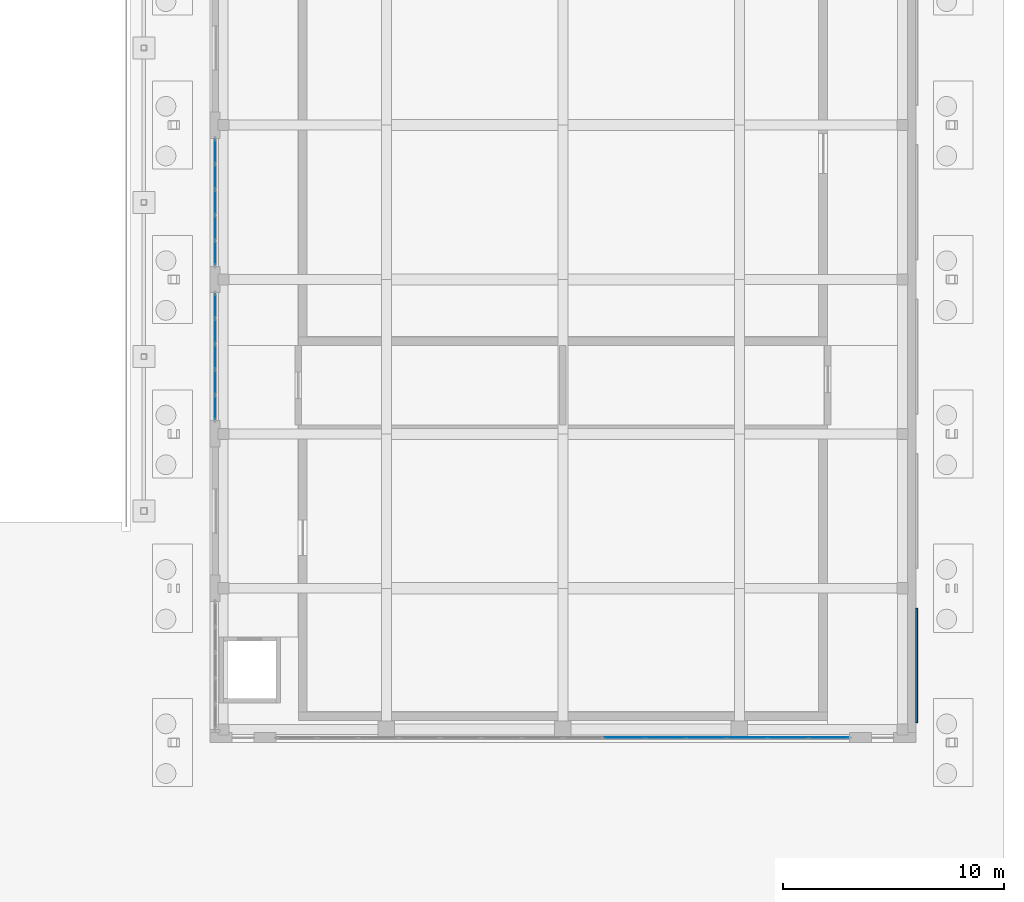
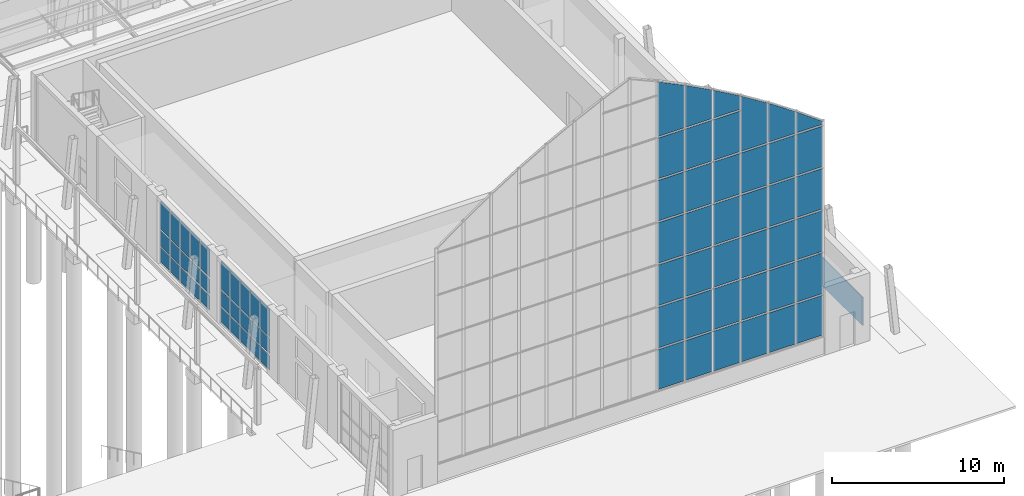
# One storey, part 93 of 144: 70 plates, 3 elements without a shape of their own.
"""IFC4 building model written with IfcOpenShell, lengths in metres."""

from ifc_helpers import new_model, si_unit, direction, frame, origin, origin_2d, place, context, subcontext, project, spatial, polyline, rectangle, outline, extrude, material, layer, layer_set, type_object, element, aggregate, save


model = new_model("IFC4")

# Units and contexts
model_context = context("Model", 3, precision=1e-05, world=origin(), true_north=direction((0.0, 1.0)))
body_context = subcontext(model_context, "Body", "Model", "MODEL_VIEW")
ifc_project = project(units=[si_unit("LENGTHUNIT", "METRE"), si_unit("AREAUNIT", "SQUARE_METRE"), si_unit("VOLUMEUNIT", "CUBIC_METRE"), si_unit("PLANEANGLEUNIT", "RADIAN"), si_unit("MASSUNIT", "GRAM", prefix="KILO")], contexts=[model_context])

# Site, building, storey
site_placement = place(None, origin())
site = spatial("IfcSite", under=ifc_project, at=site_placement, CompositionType="ELEMENT")
building_placement = place(site_placement, origin())
building = spatial("IfcBuilding", under=site, at=building_placement, Name="Lantern Court Media Centre", CompositionType="ELEMENT")
storey_placement = place(building_placement, origin())
storey = spatial("IfcBuildingStorey", under=building, at=storey_placement, Name="L00", CompositionType="ELEMENT", Elevation=0.0)

# Curtain wall, plates
ifc_material_1 = material(Name="Aluminium and glass", Category="aluminium")
ifc_layer_1 = layer(ifc_material_1, 0.14990234375)
ifc_layer_set_1 = layer_set([ifc_layer_1], Name="Aluminium and glass")
curtain_wall_type = type_object("IfcCurtainWallType", Name="Hall lancet glazing", PredefinedType="NOTDEFINED", material=ifc_layer_set_1)
curtain_wall_1_placement = place(storey_placement, origin())
curtain_wall_1 = element("IfcCurtainWall", 1, at=curtain_wall_1_placement, inside=storey, type_object=curtain_wall_type, Name="Studio Hall foyer glazing 3", PredefinedType="NOTDEFINED")
ifc_material_2 = material(Name="Laminated glass 6+6", Category="glass")
ifc_layer_2 = layer(ifc_material_2, 0.028076171875)
ifc_layer_set_2 = layer_set([ifc_layer_2], Name="Laminated glass 6+6")
plate_type_1 = type_object("IfcPlateType", Name="HP", PredefinedType="CURTAIN_PANEL", material=ifc_layer_set_2)
plate_1_placement = place(storey_placement, frame((72.22509765625, 13.195068359375, 0.119873046875), z_axis=(0.0, 0.0, 1.0), x_axis=(0.0, 1.0, 0.0)))
plate_1 = element("IfcPlate", 2, at=plate_1_placement, type_object=plate_type_1, Name="HCW-V23 panel 1.1", PredefinedType="CURTAIN_PANEL", context=body_context, shape_type="SweptSolid", body=[
    extrude(rectangle(XDim=1.070068359375, YDim=0.028076171875, at=origin_2d()), origin(), (0.0, 0.0, 1.0), 1.02001953125),
])
plate_2_placement = place(storey_placement, frame((72.22509765625, 13.195068359375, 1.260009765625), z_axis=(0.0, 0.0, 1.0), x_axis=(0.0, 1.0, 0.0)))
plate_2 = element("IfcPlate", 3, at=plate_2_placement, type_object=plate_type_1, Name="HCW-V23 panel 1.2", PredefinedType="CURTAIN_PANEL", context=body_context, shape_type="SweptSolid", body=[
    extrude(rectangle(XDim=1.070068359375, YDim=0.028076171875, at=origin_2d()), origin(), (0.0, 0.0, 1.0), 1.080078125),
])
plate_3_placement = place(storey_placement, frame((72.22509765625, 13.195068359375, 2.4599609375), z_axis=(0.0, 0.0, 1.0), x_axis=(0.0, 1.0, 0.0)))
plate_3 = element("IfcPlate", 4, at=plate_3_placement, type_object=plate_type_1, Name="HCW-V23 panel 1.3", PredefinedType="CURTAIN_PANEL", context=body_context, shape_type="SweptSolid", body=[
    extrude(rectangle(XDim=1.070068359375, YDim=0.028076171875, at=origin_2d()), origin(), (0.0, 0.0, 1.0), 1.969970703125),
])
plate_4_placement = place(storey_placement, frame((72.22509765625, 14.340087890625, 0.119873046875), z_axis=(0.0, 0.0, 1.0), x_axis=(0.0, 1.0, 0.0)))
plate_4 = element("IfcPlate", 5, at=plate_4_placement, type_object=plate_type_1, Name="HCW-V23 panel 2.1", PredefinedType="CURTAIN_PANEL", context=body_context, shape_type="SweptSolid", body=[
    extrude(rectangle(XDim=1.10009765625, YDim=0.028076171875, at=origin_2d()), origin(), (0.0, 0.0, 1.0), 1.02001953125),
])
plate_5_placement = place(storey_placement, frame((72.22509765625, 14.340087890625, 1.260009765625), z_axis=(0.0, 0.0, 1.0), x_axis=(0.0, 1.0, 0.0)))
plate_5 = element("IfcPlate", 6, at=plate_5_placement, type_object=plate_type_1, Name="HCW-V23 panel 2.2", PredefinedType="CURTAIN_PANEL", context=body_context, shape_type="SweptSolid", body=[
    extrude(rectangle(XDim=1.10009765625, YDim=0.028076171875, at=origin_2d()), origin(), (0.0, 0.0, 1.0), 1.080078125),
])
plate_6_placement = place(storey_placement, frame((72.22509765625, 14.340087890625, 2.4599609375), z_axis=(0.0, 0.0, 1.0), x_axis=(0.0, 1.0, 0.0)))
plate_6 = element("IfcPlate", 7, at=plate_6_placement, type_object=plate_type_1, Name="HCW-V23 panel 2.3", PredefinedType="CURTAIN_PANEL", context=body_context, shape_type="SweptSolid", body=[
    extrude(rectangle(XDim=1.10009765625, YDim=0.028076171875, at=origin_2d()), origin(), (0.0, 0.0, 1.0), 1.969970703125),
])
plate_7_placement = place(storey_placement, frame((72.22509765625, 15.5, 0.119873046875), z_axis=(0.0, 0.0, 1.0), x_axis=(0.0, 1.0, 0.0)))
plate_7 = element("IfcPlate", 8, at=plate_7_placement, type_object=plate_type_1, Name="HCW-V23 panel 3.1", PredefinedType="CURTAIN_PANEL", context=body_context, shape_type="SweptSolid", body=[
    extrude(rectangle(XDim=1.10009765625, YDim=0.028076171875, at=origin_2d()), origin(), (0.0, 0.0, 1.0), 1.02001953125),
])
plate_8_placement = place(storey_placement, frame((72.22509765625, 15.5, 1.260009765625), z_axis=(0.0, 0.0, 1.0), x_axis=(0.0, 1.0, 0.0)))
plate_8 = element("IfcPlate", 9, at=plate_8_placement, type_object=plate_type_1, Name="HCW-V23 panel 3.2", PredefinedType="CURTAIN_PANEL", context=body_context, shape_type="SweptSolid", body=[
    extrude(rectangle(XDim=1.10009765625, YDim=0.028076171875, at=origin_2d()), origin(), (0.0, 0.0, 1.0), 1.080078125),
])
plate_9_placement = place(storey_placement, frame((72.22509765625, 15.5, 2.4599609375), z_axis=(0.0, 0.0, 1.0), x_axis=(0.0, 1.0, 0.0)))
plate_9 = element("IfcPlate", 10, at=plate_9_placement, type_object=plate_type_1, Name="HCW-V23 panel 3.3", PredefinedType="CURTAIN_PANEL", context=body_context, shape_type="SweptSolid", body=[
    extrude(rectangle(XDim=1.10009765625, YDim=0.028076171875, at=origin_2d()), origin(), (0.0, 0.0, 1.0), 1.969970703125),
])
plate_10_placement = place(storey_placement, frame((72.22509765625, 16.659912109375, 0.119873046875), z_axis=(0.0, 0.0, 1.0), x_axis=(0.0, 1.0, 0.0)))
plate_10 = element("IfcPlate", 11, at=plate_10_placement, type_object=plate_type_1, Name="HCW-V23 panel 4.1", PredefinedType="CURTAIN_PANEL", context=body_context, shape_type="SweptSolid", body=[
    extrude(rectangle(XDim=1.10009765625, YDim=0.028076171875, at=origin_2d()), origin(), (0.0, 0.0, 1.0), 1.02001953125),
])
plate_11_placement = place(storey_placement, frame((72.22509765625, 16.659912109375, 1.260009765625), z_axis=(0.0, 0.0, 1.0), x_axis=(0.0, 1.0, 0.0)))
plate_11 = element("IfcPlate", 12, at=plate_11_placement, type_object=plate_type_1, Name="HCW-V23 panel 4.2", PredefinedType="CURTAIN_PANEL", context=body_context, shape_type="SweptSolid", body=[
    extrude(rectangle(XDim=1.10009765625, YDim=0.028076171875, at=origin_2d()), origin(), (0.0, 0.0, 1.0), 1.080078125),
])
plate_12_placement = place(storey_placement, frame((72.22509765625, 16.659912109375, 2.4599609375), z_axis=(0.0, 0.0, 1.0), x_axis=(0.0, 1.0, 0.0)))
plate_12 = element("IfcPlate", 13, at=plate_12_placement, type_object=plate_type_1, Name="HCW-V23 panel 4.3", PredefinedType="CURTAIN_PANEL", context=body_context, shape_type="SweptSolid", body=[
    extrude(rectangle(XDim=1.10009765625, YDim=0.028076171875, at=origin_2d()), origin(), (0.0, 0.0, 1.0), 1.969970703125),
])
plate_13_placement = place(storey_placement, frame((72.22509765625, 17.804931640625, 0.119873046875), z_axis=(0.0, 0.0, 1.0), x_axis=(0.0, 1.0, 0.0)))
plate_13 = element("IfcPlate", 14, at=plate_13_placement, type_object=plate_type_1, Name="HCW-V23 panel 5.1", PredefinedType="CURTAIN_PANEL", context=body_context, shape_type="SweptSolid", body=[
    extrude(rectangle(XDim=1.070068359375, YDim=0.028076171875, at=origin_2d()), origin(), (0.0, 0.0, 1.0), 1.02001953125),
])
plate_14_placement = place(storey_placement, frame((72.22509765625, 17.804931640625, 1.260009765625), z_axis=(0.0, 0.0, 1.0), x_axis=(0.0, 1.0, 0.0)))
plate_14 = element("IfcPlate", 15, at=plate_14_placement, type_object=plate_type_1, Name="HCW-V23 panel 5.2", PredefinedType="CURTAIN_PANEL", context=body_context, shape_type="SweptSolid", body=[
    extrude(rectangle(XDim=1.070068359375, YDim=0.028076171875, at=origin_2d()), origin(), (0.0, 0.0, 1.0), 1.080078125),
])
plate_15_placement = place(storey_placement, frame((72.22509765625, 17.804931640625, 2.4599609375), z_axis=(0.0, 0.0, 1.0), x_axis=(0.0, 1.0, 0.0)))
plate_15 = element("IfcPlate", 16, at=plate_15_placement, type_object=plate_type_1, Name="HCW-V23 panel 5.3", PredefinedType="CURTAIN_PANEL", context=body_context, shape_type="SweptSolid", body=[
    extrude(rectangle(XDim=1.070068359375, YDim=0.028076171875, at=origin_2d()), origin(), (0.0, 0.0, 1.0), 1.969970703125),
])
aggregate(curtain_wall_1, [plate_1, plate_2, plate_3, plate_4, plate_5, plate_6, plate_7, plate_8, plate_9, plate_10, plate_11, plate_12, plate_13, plate_14, plate_15])

curtain_wall_2_placement = place(storey_placement, origin())
curtain_wall_2 = element("IfcCurtainWall", 17, at=curtain_wall_2_placement, inside=storey, type_object=curtain_wall_type, Name="Studio Hall foyer glazing 4", PredefinedType="NOTDEFINED")
plate_16_placement = place(storey_placement, frame((72.22509765625, 20.195068359375, 0.119873046875), z_axis=(0.0, 0.0, 1.0), x_axis=(0.0, 1.0, 0.0)))
plate_16 = element("IfcPlate", 18, at=plate_16_placement, type_object=plate_type_1, Name="HCW-V24 panel 1.1", PredefinedType="CURTAIN_PANEL", context=body_context, shape_type="SweptSolid", body=[
    extrude(rectangle(XDim=1.070068359375, YDim=0.028076171875, at=origin_2d()), origin(), (0.0, 0.0, 1.0), 1.02001953125),
])
plate_17_placement = place(storey_placement, frame((72.22509765625, 20.195068359375, 1.260009765625), z_axis=(0.0, 0.0, 1.0), x_axis=(0.0, 1.0, 0.0)))
plate_17 = element("IfcPlate", 19, at=plate_17_placement, type_object=plate_type_1, Name="HCW-V24 panel 1.2", PredefinedType="CURTAIN_PANEL", context=body_context, shape_type="SweptSolid", body=[
    extrude(rectangle(XDim=1.070068359375, YDim=0.028076171875, at=origin_2d()), origin(), (0.0, 0.0, 1.0), 1.080078125),
])
plate_18_placement = place(storey_placement, frame((72.22509765625, 20.195068359375, 2.4599609375), z_axis=(0.0, 0.0, 1.0), x_axis=(0.0, 1.0, 0.0)))
plate_18 = element("IfcPlate", 20, at=plate_18_placement, type_object=plate_type_1, Name="HCW-V24 panel 1.3", PredefinedType="CURTAIN_PANEL", context=body_context, shape_type="SweptSolid", body=[
    extrude(rectangle(XDim=1.070068359375, YDim=0.028076171875, at=origin_2d()), origin(), (0.0, 0.0, 1.0), 1.969970703125),
])
plate_19_placement = place(storey_placement, frame((72.22509765625, 21.340087890625, 0.119873046875), z_axis=(0.0, 0.0, 1.0), x_axis=(0.0, 1.0, 0.0)))
plate_19 = element("IfcPlate", 21, at=plate_19_placement, type_object=plate_type_1, Name="HCW-V24 panel 2.1", PredefinedType="CURTAIN_PANEL", context=body_context, shape_type="SweptSolid", body=[
    extrude(rectangle(XDim=1.10009765625, YDim=0.028076171875, at=origin_2d()), origin(), (0.0, 0.0, 1.0), 1.02001953125),
])
plate_20_placement = place(storey_placement, frame((72.22509765625, 21.340087890625, 1.260009765625), z_axis=(0.0, 0.0, 1.0), x_axis=(0.0, 1.0, 0.0)))
plate_20 = element("IfcPlate", 22, at=plate_20_placement, type_object=plate_type_1, Name="HCW-V24 panel 2.2", PredefinedType="CURTAIN_PANEL", context=body_context, shape_type="SweptSolid", body=[
    extrude(rectangle(XDim=1.10009765625, YDim=0.028076171875, at=origin_2d()), origin(), (0.0, 0.0, 1.0), 1.080078125),
])
plate_21_placement = place(storey_placement, frame((72.22509765625, 21.340087890625, 2.4599609375), z_axis=(0.0, 0.0, 1.0), x_axis=(0.0, 1.0, 0.0)))
plate_21 = element("IfcPlate", 23, at=plate_21_placement, type_object=plate_type_1, Name="HCW-V24 panel 2.3", PredefinedType="CURTAIN_PANEL", context=body_context, shape_type="SweptSolid", body=[
    extrude(rectangle(XDim=1.10009765625, YDim=0.028076171875, at=origin_2d()), origin(), (0.0, 0.0, 1.0), 1.969970703125),
])
plate_22_placement = place(storey_placement, frame((72.22509765625, 22.5, 0.119873046875), z_axis=(0.0, 0.0, 1.0), x_axis=(0.0, 1.0, 0.0)))
plate_22 = element("IfcPlate", 24, at=plate_22_placement, type_object=plate_type_1, Name="HCW-V24 panel 3.1", PredefinedType="CURTAIN_PANEL", context=body_context, shape_type="SweptSolid", body=[
    extrude(rectangle(XDim=1.10009765625, YDim=0.028076171875, at=origin_2d()), origin(), (0.0, 0.0, 1.0), 1.02001953125),
])
plate_23_placement = place(storey_placement, frame((72.22509765625, 22.5, 1.260009765625), z_axis=(0.0, 0.0, 1.0), x_axis=(0.0, 1.0, 0.0)))
plate_23 = element("IfcPlate", 25, at=plate_23_placement, type_object=plate_type_1, Name="HCW-V24 panel 3.2", PredefinedType="CURTAIN_PANEL", context=body_context, shape_type="SweptSolid", body=[
    extrude(rectangle(XDim=1.10009765625, YDim=0.028076171875, at=origin_2d()), origin(), (0.0, 0.0, 1.0), 1.080078125),
])
plate_24_placement = place(storey_placement, frame((72.22509765625, 22.5, 2.4599609375), z_axis=(0.0, 0.0, 1.0), x_axis=(0.0, 1.0, 0.0)))
plate_24 = element("IfcPlate", 26, at=plate_24_placement, type_object=plate_type_1, Name="HCW-V24 panel 3.3", PredefinedType="CURTAIN_PANEL", context=body_context, shape_type="SweptSolid", body=[
    extrude(rectangle(XDim=1.10009765625, YDim=0.028076171875, at=origin_2d()), origin(), (0.0, 0.0, 1.0), 1.969970703125),
])
plate_25_placement = place(storey_placement, frame((72.22509765625, 23.659912109375, 0.119873046875), z_axis=(0.0, 0.0, 1.0), x_axis=(0.0, 1.0, 0.0)))
plate_25 = element("IfcPlate", 27, at=plate_25_placement, type_object=plate_type_1, Name="HCW-V24 panel 4.1", PredefinedType="CURTAIN_PANEL", context=body_context, shape_type="SweptSolid", body=[
    extrude(rectangle(XDim=1.10009765625, YDim=0.028076171875, at=origin_2d()), origin(), (0.0, 0.0, 1.0), 1.02001953125),
])
plate_26_placement = place(storey_placement, frame((72.22509765625, 23.659912109375, 1.260009765625), z_axis=(0.0, 0.0, 1.0), x_axis=(0.0, 1.0, 0.0)))
plate_26 = element("IfcPlate", 28, at=plate_26_placement, type_object=plate_type_1, Name="HCW-V24 panel 4.2", PredefinedType="CURTAIN_PANEL", context=body_context, shape_type="SweptSolid", body=[
    extrude(rectangle(XDim=1.10009765625, YDim=0.028076171875, at=origin_2d()), origin(), (0.0, 0.0, 1.0), 1.080078125),
])
plate_27_placement = place(storey_placement, frame((72.22509765625, 23.659912109375, 2.4599609375), z_axis=(0.0, 0.0, 1.0), x_axis=(0.0, 1.0, 0.0)))
plate_27 = element("IfcPlate", 29, at=plate_27_placement, type_object=plate_type_1, Name="HCW-V24 panel 4.3", PredefinedType="CURTAIN_PANEL", context=body_context, shape_type="SweptSolid", body=[
    extrude(rectangle(XDim=1.10009765625, YDim=0.028076171875, at=origin_2d()), origin(), (0.0, 0.0, 1.0), 1.969970703125),
])
plate_28_placement = place(storey_placement, frame((72.22509765625, 24.804931640625, 0.119873046875), z_axis=(0.0, 0.0, 1.0), x_axis=(0.0, 1.0, 0.0)))
plate_28 = element("IfcPlate", 30, at=plate_28_placement, type_object=plate_type_1, Name="HCW-V24 panel 5.1", PredefinedType="CURTAIN_PANEL", context=body_context, shape_type="SweptSolid", body=[
    extrude(rectangle(XDim=1.070068359375, YDim=0.028076171875, at=origin_2d()), origin(), (0.0, 0.0, 1.0), 1.02001953125),
])
plate_29_placement = place(storey_placement, frame((72.22509765625, 24.804931640625, 1.260009765625), z_axis=(0.0, 0.0, 1.0), x_axis=(0.0, 1.0, 0.0)))
plate_29 = element("IfcPlate", 31, at=plate_29_placement, type_object=plate_type_1, Name="HCW-V24 panel 5.2", PredefinedType="CURTAIN_PANEL", context=body_context, shape_type="SweptSolid", body=[
    extrude(rectangle(XDim=1.070068359375, YDim=0.028076171875, at=origin_2d()), origin(), (0.0, 0.0, 1.0), 1.080078125),
])
plate_30_placement = place(storey_placement, frame((72.22509765625, 24.804931640625, 2.4599609375), z_axis=(0.0, 0.0, 1.0), x_axis=(0.0, 1.0, 0.0)))
plate_30 = element("IfcPlate", 32, at=plate_30_placement, type_object=plate_type_1, Name="HCW-V24 panel 5.3", PredefinedType="CURTAIN_PANEL", context=body_context, shape_type="SweptSolid", body=[
    extrude(rectangle(XDim=1.070068359375, YDim=0.028076171875, at=origin_2d()), origin(), (0.0, 0.0, 1.0), 1.969970703125),
])
aggregate(curtain_wall_2, [plate_16, plate_17, plate_18, plate_19, plate_20, plate_21, plate_22, plate_23, plate_24, plate_25, plate_26, plate_27, plate_28, plate_29, plate_30])

curtain_wall_3_placement = place(storey_placement, origin())
curtain_wall_3 = element("IfcCurtainWall", 33, at=curtain_wall_3_placement, inside=storey, type_object=curtain_wall_type, Name="Studio Hall HCW-V20 glazing", PredefinedType="NOTDEFINED")
plate_31_placement = place(storey_placement, frame((90.78564453125, -1.77490234375, 1.31982421875), z_axis=(0.0, 0.0, 1.0), x_axis=(1.0, 0.0, 0.0)))
plate_31 = element("IfcPlate", 34, at=plate_31_placement, type_object=plate_type_1, Name="HCW-V20 panel 9.1", PredefinedType="CURTAIN_PANEL", context=body_context, shape_type="SweptSolid", body=[
    extrude(rectangle(XDim=1.797119140625, YDim=0.028076171875, at=origin_2d()), origin(), (0.0, 0.0, 1.0), 2.820068359375),
])
plate_32_placement = place(storey_placement, frame((90.78564453125, -1.77490234375, 4.260009765625), z_axis=(0.0, 0.0, 1.0), x_axis=(1.0, 0.0, 0.0)))
plate_32 = element("IfcPlate", 35, at=plate_32_placement, type_object=plate_type_1, Name="HCW-V20 panel 9.2", PredefinedType="CURTAIN_PANEL", context=body_context, shape_type="SweptSolid", body=[
    extrude(rectangle(XDim=1.797119140625, YDim=0.028076171875, at=origin_2d()), origin(), (0.0, 0.0, 1.0), 2.8798828125),
])
plate_33_placement = place(storey_placement, frame((90.78564453125, -1.77490234375, 7.260009765625), z_axis=(0.0, 0.0, 1.0), x_axis=(1.0, 0.0, 0.0)))
plate_33 = element("IfcPlate", 36, at=plate_33_placement, type_object=plate_type_1, Name="HCW-V20 panel 9.3", PredefinedType="CURTAIN_PANEL", context=body_context, shape_type="SweptSolid", body=[
    extrude(rectangle(XDim=1.797119140625, YDim=0.028076171875, at=origin_2d()), origin(), (0.0, 0.0, 1.0), 2.8798828125),
])
plate_34_placement = place(storey_placement, frame((90.78564453125, -1.77490234375, 10.260009765625), z_axis=(0.0, 0.0, 1.0), x_axis=(1.0, 0.0, 0.0)))
plate_34 = element("IfcPlate", 37, at=plate_34_placement, type_object=plate_type_1, Name="HCW-V20 panel 9.4", PredefinedType="CURTAIN_PANEL", context=body_context, shape_type="SweptSolid", body=[
    extrude(rectangle(XDim=1.797119140625, YDim=0.028076171875, at=origin_2d()), origin(), (0.0, 0.0, 1.0), 2.8798828125),
])
plate_35_placement = place(storey_placement, frame((90.78564453125, -1.77490234375, 13.260009765625), z_axis=(0.0, 0.0, 1.0), x_axis=(1.0, 0.0, 0.0)))
plate_35 = element("IfcPlate", 38, at=plate_35_placement, type_object=plate_type_1, Name="HCW-V20 panel 9.5", PredefinedType="CURTAIN_PANEL", context=body_context, shape_type="SweptSolid", body=[
    extrude(rectangle(XDim=1.797119140625, YDim=0.028076171875, at=origin_2d()), origin(), (0.0, 0.0, 1.0), 2.8798828125),
])
plate_36_placement = place(storey_placement, frame((90.78564453125, -1.77490234375, 16.260009765625), z_axis=(0.0, 0.0, 1.0), x_axis=(1.0, 0.0, 0.0)))
plate_36 = element("IfcPlate", 39, at=plate_36_placement, type_object=plate_type_1, Name="HCW-V20 panel 9.6", PredefinedType="CURTAIN_PANEL", context=body_context, shape_type="SweptSolid", body=[
    extrude(rectangle(XDim=1.797119140625, YDim=0.028076171875, at=origin_2d()), origin(), (0.0, 0.0, 1.0), 2.8798828125),
])
plate_37_placement = place(storey_placement, frame((89.88720703125, -1.7890625, 19.260009765625), z_axis=(0.0, -1.0, 0.0), x_axis=(1.0, 0.0, 0.0)))
plate_37 = element("IfcPlate", 40, at=plate_37_placement, type_object=plate_type_1, Name="HCW-V20 head panel", PredefinedType="CURTAIN_PANEL", context=body_context, shape_type="SweptSolid", body=[
    extrude(outline(polyline([(0.0, 0.0), (1.797119140625, 0.0), (1.797119140625, 3.010009765625), (0.0, 3.8818359375), (0.0, 0.0)])), origin(), (0.0, 0.0, -1.0), 0.028076171875),
])
plate_38_placement = place(storey_placement, frame((92.642822265625, -1.77490234375, 1.31982421875), z_axis=(0.0, 0.0, 1.0), x_axis=(1.0, 0.0, 0.0)))
plate_38 = element("IfcPlate", 41, at=plate_38_placement, type_object=plate_type_1, Name="HCW-V20 panel 10.1", PredefinedType="CURTAIN_PANEL", context=body_context, shape_type="SweptSolid", body=[
    extrude(rectangle(XDim=1.797119140625, YDim=0.028076171875, at=origin_2d()), origin(), (0.0, 0.0, 1.0), 2.820068359375),
])
plate_39_placement = place(storey_placement, frame((92.642822265625, -1.77490234375, 4.260009765625), z_axis=(0.0, 0.0, 1.0), x_axis=(1.0, 0.0, 0.0)))
plate_39 = element("IfcPlate", 42, at=plate_39_placement, type_object=plate_type_1, Name="HCW-V20 panel 10.2", PredefinedType="CURTAIN_PANEL", context=body_context, shape_type="SweptSolid", body=[
    extrude(rectangle(XDim=1.797119140625, YDim=0.028076171875, at=origin_2d()), origin(), (0.0, 0.0, 1.0), 2.8798828125),
])
plate_40_placement = place(storey_placement, frame((92.642822265625, -1.77490234375, 7.260009765625), z_axis=(0.0, 0.0, 1.0), x_axis=(1.0, 0.0, 0.0)))
plate_40 = element("IfcPlate", 43, at=plate_40_placement, type_object=plate_type_1, Name="HCW-V20 panel 10.3", PredefinedType="CURTAIN_PANEL", context=body_context, shape_type="SweptSolid", body=[
    extrude(rectangle(XDim=1.797119140625, YDim=0.028076171875, at=origin_2d()), origin(), (0.0, 0.0, 1.0), 2.8798828125),
])
plate_41_placement = place(storey_placement, frame((92.642822265625, -1.77490234375, 10.260009765625), z_axis=(0.0, 0.0, 1.0), x_axis=(1.0, 0.0, 0.0)))
plate_41 = element("IfcPlate", 44, at=plate_41_placement, type_object=plate_type_1, Name="HCW-V20 panel 10.4", PredefinedType="CURTAIN_PANEL", context=body_context, shape_type="SweptSolid", body=[
    extrude(rectangle(XDim=1.797119140625, YDim=0.028076171875, at=origin_2d()), origin(), (0.0, 0.0, 1.0), 2.8798828125),
])
plate_42_placement = place(storey_placement, frame((92.642822265625, -1.77490234375, 13.260009765625), z_axis=(0.0, 0.0, 1.0), x_axis=(1.0, 0.0, 0.0)))
plate_42 = element("IfcPlate", 45, at=plate_42_placement, type_object=plate_type_1, Name="HCW-V20 panel 10.5", PredefinedType="CURTAIN_PANEL", context=body_context, shape_type="SweptSolid", body=[
    extrude(rectangle(XDim=1.797119140625, YDim=0.028076171875, at=origin_2d()), origin(), (0.0, 0.0, 1.0), 2.8798828125),
])
plate_43_placement = place(storey_placement, frame((92.642822265625, -1.77490234375, 16.260009765625), z_axis=(0.0, 0.0, 1.0), x_axis=(1.0, 0.0, 0.0)))
plate_43 = element("IfcPlate", 46, at=plate_43_placement, type_object=plate_type_1, Name="HCW-V20 panel 10.6", PredefinedType="CURTAIN_PANEL", context=body_context, shape_type="SweptSolid", body=[
    extrude(rectangle(XDim=1.797119140625, YDim=0.028076171875, at=origin_2d()), origin(), (0.0, 0.0, 1.0), 2.8798828125),
])
plate_44_placement = place(storey_placement, frame((91.744384765625, -1.7890625, 19.260009765625), z_axis=(0.0, -1.0, 0.0), x_axis=(1.0, 0.0, 0.0)))
plate_44 = element("IfcPlate", 47, at=plate_44_placement, type_object=plate_type_1, Name="HCW-V20 head panel", PredefinedType="CURTAIN_PANEL", context=body_context, shape_type="SweptSolid", body=[
    extrude(outline(polyline([(0.0, 0.0), (1.797119140625, 0.0), (1.797119140625, 2.029052734375), (0.0, 2.9794921875), (0.0, 0.0)])), origin(), (0.0, 0.0, -1.0), 0.028076171875),
])
plate_45_placement = place(storey_placement, frame((94.5, -1.77490234375, 1.31982421875), z_axis=(0.0, 0.0, 1.0), x_axis=(1.0, 0.0, 0.0)))
plate_45 = element("IfcPlate", 48, at=plate_45_placement, type_object=plate_type_1, Name="HCW-V20 panel 11.1", PredefinedType="CURTAIN_PANEL", context=body_context, shape_type="SweptSolid", body=[
    extrude(rectangle(XDim=1.797119140625, YDim=0.028076171875, at=origin_2d()), origin(), (0.0, 0.0, 1.0), 2.820068359375),
])
plate_46_placement = place(storey_placement, frame((94.5, -1.77490234375, 4.260009765625), z_axis=(0.0, 0.0, 1.0), x_axis=(1.0, 0.0, 0.0)))
plate_46 = element("IfcPlate", 49, at=plate_46_placement, type_object=plate_type_1, Name="HCW-V20 panel 11.2", PredefinedType="CURTAIN_PANEL", context=body_context, shape_type="SweptSolid", body=[
    extrude(rectangle(XDim=1.797119140625, YDim=0.028076171875, at=origin_2d()), origin(), (0.0, 0.0, 1.0), 2.8798828125),
])
plate_47_placement = place(storey_placement, frame((94.5, -1.77490234375, 7.260009765625), z_axis=(0.0, 0.0, 1.0), x_axis=(1.0, 0.0, 0.0)))
plate_47 = element("IfcPlate", 50, at=plate_47_placement, type_object=plate_type_1, Name="HCW-V20 panel 11.3", PredefinedType="CURTAIN_PANEL", context=body_context, shape_type="SweptSolid", body=[
    extrude(rectangle(XDim=1.797119140625, YDim=0.028076171875, at=origin_2d()), origin(), (0.0, 0.0, 1.0), 2.8798828125),
])
plate_48_placement = place(storey_placement, frame((94.5, -1.77490234375, 10.260009765625), z_axis=(0.0, 0.0, 1.0), x_axis=(1.0, 0.0, 0.0)))
plate_48 = element("IfcPlate", 51, at=plate_48_placement, type_object=plate_type_1, Name="HCW-V20 panel 11.4", PredefinedType="CURTAIN_PANEL", context=body_context, shape_type="SweptSolid", body=[
    extrude(rectangle(XDim=1.797119140625, YDim=0.028076171875, at=origin_2d()), origin(), (0.0, 0.0, 1.0), 2.8798828125),
])
plate_49_placement = place(storey_placement, frame((94.5, -1.77490234375, 13.260009765625), z_axis=(0.0, 0.0, 1.0), x_axis=(1.0, 0.0, 0.0)))
plate_49 = element("IfcPlate", 52, at=plate_49_placement, type_object=plate_type_1, Name="HCW-V20 panel 11.5", PredefinedType="CURTAIN_PANEL", context=body_context, shape_type="SweptSolid", body=[
    extrude(rectangle(XDim=1.797119140625, YDim=0.028076171875, at=origin_2d()), origin(), (0.0, 0.0, 1.0), 2.8798828125),
])
plate_50_placement = place(storey_placement, frame((94.5, -1.77490234375, 16.260009765625), z_axis=(0.0, 0.0, 1.0), x_axis=(1.0, 0.0, 0.0)))
plate_50 = element("IfcPlate", 53, at=plate_50_placement, type_object=plate_type_1, Name="HCW-V20 panel 11.6", PredefinedType="CURTAIN_PANEL", context=body_context, shape_type="SweptSolid", body=[
    extrude(rectangle(XDim=1.797119140625, YDim=0.028076171875, at=origin_2d()), origin(), (0.0, 0.0, 1.0), 2.8798828125),
])
plate_51_placement = place(storey_placement, frame((93.601318359375, -1.7890625, 19.260009765625), z_axis=(0.0, -1.0, 0.0), x_axis=(1.0, 0.0, 0.0)))
plate_51 = element("IfcPlate", 54, at=plate_51_placement, type_object=plate_type_1, Name="HCW-V20 head panel", PredefinedType="CURTAIN_PANEL", context=body_context, shape_type="SweptSolid", body=[
    extrude(outline(polyline([(0.0, 0.0), (1.79736328125, 0.0), (1.79736328125, 0.962646484375), (0.0, 1.995849609375), (0.0, 0.0)])), origin(), (0.0, 0.0, -1.0), 0.028076171875),
])
plate_52_placement = place(storey_placement, frame((96.357177734375, -1.77490234375, 1.31982421875), z_axis=(0.0, 0.0, 1.0), x_axis=(1.0, 0.0, 0.0)))
plate_52 = element("IfcPlate", 55, at=plate_52_placement, type_object=plate_type_1, Name="HCW-V20 panel 12.1", PredefinedType="CURTAIN_PANEL", context=body_context, shape_type="SweptSolid", body=[
    extrude(rectangle(XDim=1.797119140625, YDim=0.028076171875, at=origin_2d()), origin(), (0.0, 0.0, 1.0), 2.820068359375),
])
plate_53_placement = place(storey_placement, frame((96.357177734375, -1.77490234375, 4.260009765625), z_axis=(0.0, 0.0, 1.0), x_axis=(1.0, 0.0, 0.0)))
plate_53 = element("IfcPlate", 56, at=plate_53_placement, type_object=plate_type_1, Name="HCW-V20 panel 12.2", PredefinedType="CURTAIN_PANEL", context=body_context, shape_type="SweptSolid", body=[
    extrude(rectangle(XDim=1.797119140625, YDim=0.028076171875, at=origin_2d()), origin(), (0.0, 0.0, 1.0), 2.8798828125),
])
plate_54_placement = place(storey_placement, frame((96.357177734375, -1.77490234375, 7.260009765625), z_axis=(0.0, 0.0, 1.0), x_axis=(1.0, 0.0, 0.0)))
plate_54 = element("IfcPlate", 57, at=plate_54_placement, type_object=plate_type_1, Name="HCW-V20 panel 12.3", PredefinedType="CURTAIN_PANEL", context=body_context, shape_type="SweptSolid", body=[
    extrude(rectangle(XDim=1.797119140625, YDim=0.028076171875, at=origin_2d()), origin(), (0.0, 0.0, 1.0), 2.8798828125),
])
plate_55_placement = place(storey_placement, frame((96.357177734375, -1.77490234375, 10.260009765625), z_axis=(0.0, 0.0, 1.0), x_axis=(1.0, 0.0, 0.0)))
plate_55 = element("IfcPlate", 58, at=plate_55_placement, type_object=plate_type_1, Name="HCW-V20 panel 12.4", PredefinedType="CURTAIN_PANEL", context=body_context, shape_type="SweptSolid", body=[
    extrude(rectangle(XDim=1.797119140625, YDim=0.028076171875, at=origin_2d()), origin(), (0.0, 0.0, 1.0), 2.8798828125),
])
plate_56_placement = place(storey_placement, frame((96.357177734375, -1.77490234375, 13.260009765625), z_axis=(0.0, 0.0, 1.0), x_axis=(1.0, 0.0, 0.0)))
plate_56 = element("IfcPlate", 59, at=plate_56_placement, type_object=plate_type_1, Name="HCW-V20 panel 12.5", PredefinedType="CURTAIN_PANEL", context=body_context, shape_type="SweptSolid", body=[
    extrude(rectangle(XDim=1.797119140625, YDim=0.028076171875, at=origin_2d()), origin(), (0.0, 0.0, 1.0), 2.8798828125),
])
plate_57_placement = place(storey_placement, frame((95.45849609375, -1.7890625, 16.260009765625), z_axis=(0.0, -1.0, 0.0), x_axis=(1.0, 0.0, 0.0)))
plate_57 = element("IfcPlate", 60, at=plate_57_placement, type_object=plate_type_1, Name="HCW-V20 head panel", PredefinedType="CURTAIN_PANEL", context=body_context, shape_type="SweptSolid", body=[
    extrude(outline(polyline([(0.0, 0.0), (1.797119140625, 0.0), (1.797119140625, 2.804931640625), (0.0, 3.926513671875), (0.0, 0.0)])), origin(), (0.0, 0.0, -1.0), 0.028076171875),
])
plate_58_placement = place(storey_placement, frame((98.21435546875, -1.77490234375, 1.31982421875), z_axis=(0.0, 0.0, 1.0), x_axis=(1.0, 0.0, 0.0)))
plate_58 = element("IfcPlate", 61, at=plate_58_placement, type_object=plate_type_1, Name="HCW-V20 panel 13.1", PredefinedType="CURTAIN_PANEL", context=body_context, shape_type="SweptSolid", body=[
    extrude(rectangle(XDim=1.797119140625, YDim=0.028076171875, at=origin_2d()), origin(), (0.0, 0.0, 1.0), 2.820068359375),
])
plate_59_placement = place(storey_placement, frame((98.21435546875, -1.77490234375, 4.260009765625), z_axis=(0.0, 0.0, 1.0), x_axis=(1.0, 0.0, 0.0)))
plate_59 = element("IfcPlate", 62, at=plate_59_placement, type_object=plate_type_1, Name="HCW-V20 panel 13.2", PredefinedType="CURTAIN_PANEL", context=body_context, shape_type="SweptSolid", body=[
    extrude(rectangle(XDim=1.797119140625, YDim=0.028076171875, at=origin_2d()), origin(), (0.0, 0.0, 1.0), 2.8798828125),
])
plate_60_placement = place(storey_placement, frame((98.21435546875, -1.77490234375, 7.260009765625), z_axis=(0.0, 0.0, 1.0), x_axis=(1.0, 0.0, 0.0)))
plate_60 = element("IfcPlate", 63, at=plate_60_placement, type_object=plate_type_1, Name="HCW-V20 panel 13.3", PredefinedType="CURTAIN_PANEL", context=body_context, shape_type="SweptSolid", body=[
    extrude(rectangle(XDim=1.797119140625, YDim=0.028076171875, at=origin_2d()), origin(), (0.0, 0.0, 1.0), 2.8798828125),
])
plate_61_placement = place(storey_placement, frame((98.21435546875, -1.77490234375, 10.260009765625), z_axis=(0.0, 0.0, 1.0), x_axis=(1.0, 0.0, 0.0)))
plate_61 = element("IfcPlate", 64, at=plate_61_placement, type_object=plate_type_1, Name="HCW-V20 panel 13.4", PredefinedType="CURTAIN_PANEL", context=body_context, shape_type="SweptSolid", body=[
    extrude(rectangle(XDim=1.797119140625, YDim=0.028076171875, at=origin_2d()), origin(), (0.0, 0.0, 1.0), 2.8798828125),
])
plate_62_placement = place(storey_placement, frame((98.21435546875, -1.77490234375, 13.260009765625), z_axis=(0.0, 0.0, 1.0), x_axis=(1.0, 0.0, 0.0)))
plate_62 = element("IfcPlate", 65, at=plate_62_placement, type_object=plate_type_1, Name="HCW-V20 panel 13.5", PredefinedType="CURTAIN_PANEL", context=body_context, shape_type="SweptSolid", body=[
    extrude(rectangle(XDim=1.797119140625, YDim=0.028076171875, at=origin_2d()), origin(), (0.0, 0.0, 1.0), 2.8798828125),
])
plate_63_placement = place(storey_placement, frame((97.315673828125, -1.7890625, 16.260009765625), z_axis=(0.0, -1.0, 0.0), x_axis=(1.0, 0.0, 0.0)))
plate_63 = element("IfcPlate", 66, at=plate_63_placement, type_object=plate_type_1, Name="HCW-V20 head panel", PredefinedType="CURTAIN_PANEL", context=body_context, shape_type="SweptSolid", body=[
    extrude(outline(polyline([(0.0, 0.0), (1.797119140625, 0.0), (1.797119140625, 1.550048828125), (0.0, 2.76611328125), (0.0, 0.0)])), origin(), (0.0, 0.0, -1.0), 0.028076171875),
])
plate_64_placement = place(storey_placement, frame((100.056396484375, -1.77490234375, 1.31982421875), z_axis=(0.0, 0.0, 1.0), x_axis=(1.0, 0.0, 0.0)))
plate_64 = element("IfcPlate", 67, at=plate_64_placement, type_object=plate_type_1, Name="HCW-V20 panel 14.1", PredefinedType="CURTAIN_PANEL", context=body_context, shape_type="SweptSolid", body=[
    extrude(rectangle(XDim=1.76708984375, YDim=0.028076171875, at=origin_2d()), origin(), (0.0, 0.0, 1.0), 2.820068359375),
])
plate_65_placement = place(storey_placement, frame((100.056396484375, -1.77490234375, 4.260009765625), z_axis=(0.0, 0.0, 1.0), x_axis=(1.0, 0.0, 0.0)))
plate_65 = element("IfcPlate", 68, at=plate_65_placement, type_object=plate_type_1, Name="HCW-V20 panel 14.2", PredefinedType="CURTAIN_PANEL", context=body_context, shape_type="SweptSolid", body=[
    extrude(rectangle(XDim=1.76708984375, YDim=0.028076171875, at=origin_2d()), origin(), (0.0, 0.0, 1.0), 2.8798828125),
])
plate_66_placement = place(storey_placement, frame((100.056396484375, -1.77490234375, 7.260009765625), z_axis=(0.0, 0.0, 1.0), x_axis=(1.0, 0.0, 0.0)))
plate_66 = element("IfcPlate", 69, at=plate_66_placement, type_object=plate_type_1, Name="HCW-V20 panel 14.3", PredefinedType="CURTAIN_PANEL", context=body_context, shape_type="SweptSolid", body=[
    extrude(rectangle(XDim=1.76708984375, YDim=0.028076171875, at=origin_2d()), origin(), (0.0, 0.0, 1.0), 2.8798828125),
])
plate_67_placement = place(storey_placement, frame((100.056396484375, -1.77490234375, 10.260009765625), z_axis=(0.0, 0.0, 1.0), x_axis=(1.0, 0.0, 0.0)))
plate_67 = element("IfcPlate", 70, at=plate_67_placement, type_object=plate_type_1, Name="HCW-V20 panel 14.4", PredefinedType="CURTAIN_PANEL", context=body_context, shape_type="SweptSolid", body=[
    extrude(rectangle(XDim=1.76708984375, YDim=0.028076171875, at=origin_2d()), origin(), (0.0, 0.0, 1.0), 2.8798828125),
])
plate_68_placement = place(storey_placement, frame((100.056396484375, -1.77490234375, 13.260009765625), z_axis=(0.0, 0.0, 1.0), x_axis=(1.0, 0.0, 0.0)))
plate_68 = element("IfcPlate", 71, at=plate_68_placement, type_object=plate_type_1, Name="HCW-V20 panel 14.5", PredefinedType="CURTAIN_PANEL", context=body_context, shape_type="SweptSolid", body=[
    extrude(rectangle(XDim=1.76708984375, YDim=0.028076171875, at=origin_2d()), origin(), (0.0, 0.0, 1.0), 2.8798828125),
])
plate_69_placement = place(storey_placement, frame((99.1728515625, -1.7890625, 16.260009765625), z_axis=(0.0, -1.0, 0.0), x_axis=(1.0, 0.0, 0.0)))
plate_69 = element("IfcPlate", 72, at=plate_69_placement, type_object=plate_type_1, Name="HCW-V20 head panel", PredefinedType="CURTAIN_PANEL", context=body_context, shape_type="SweptSolid", body=[
    extrude(outline(polyline([(0.0, 0.0), (1.76708984375, 0.0), (1.76708984375, 0.212646484375), (0.0, 1.5078125), (0.0, 0.0)])), origin(), (0.0, 0.0, -1.0), 0.028076171875),
])
aggregate(curtain_wall_3, [plate_31, plate_32, plate_33, plate_34, plate_35, plate_36, plate_37, plate_38, plate_39, plate_40, plate_41, plate_42, plate_43, plate_44, plate_45, plate_46, plate_47, plate_48, plate_49, plate_50, plate_51, plate_52, plate_53, plate_54, plate_55, plate_56, plate_57, plate_58, plate_59, plate_60, plate_61, plate_62, plate_63, plate_64, plate_65, plate_66, plate_67, plate_68, plate_69])

# Plate
ifc_material_3 = material(Name="Limestone cladding", Category="masonry")
ifc_layer_3 = layer(ifc_material_3, 0.080078125)
ifc_layer_set_3 = layer_set([ifc_layer_3], Name="Limestone cladding")
plate_type_2 = type_object("IfcPlateType", Name="Stone relief panel", PredefinedType="SHEET", material=ifc_layer_set_3)
plate_70_placement = place(storey_placement, frame((104.0400390625, 1.5, 0.5), z_axis=(0.0, 0.0, 1.0), x_axis=(1.0, 0.0, 0.0)))
element("IfcPlate", 73, at=plate_70_placement, inside=storey, type_object=plate_type_2, Name="Studio Hall street face relief panel", PredefinedType="SHEET", context=body_context, shape_type="SweptSolid", body=[
    extrude(rectangle(XDim=0.080078125, YDim=5.199951171875, at=origin_2d()), origin(), (0.0, 0.0, 1.0), 2.0),
])

save(model, "model.ifc")
